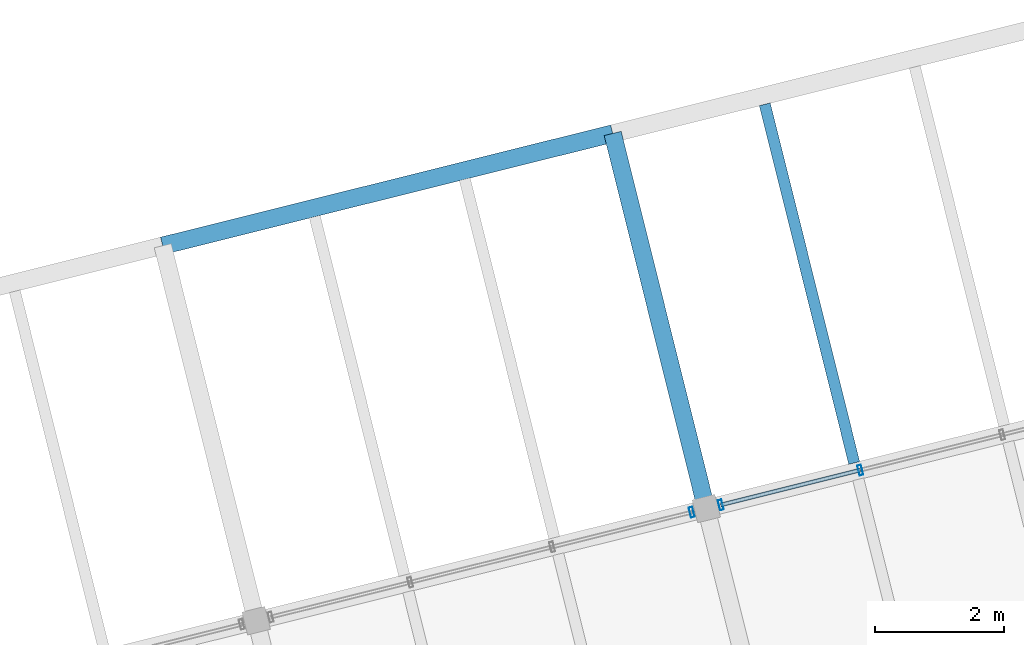
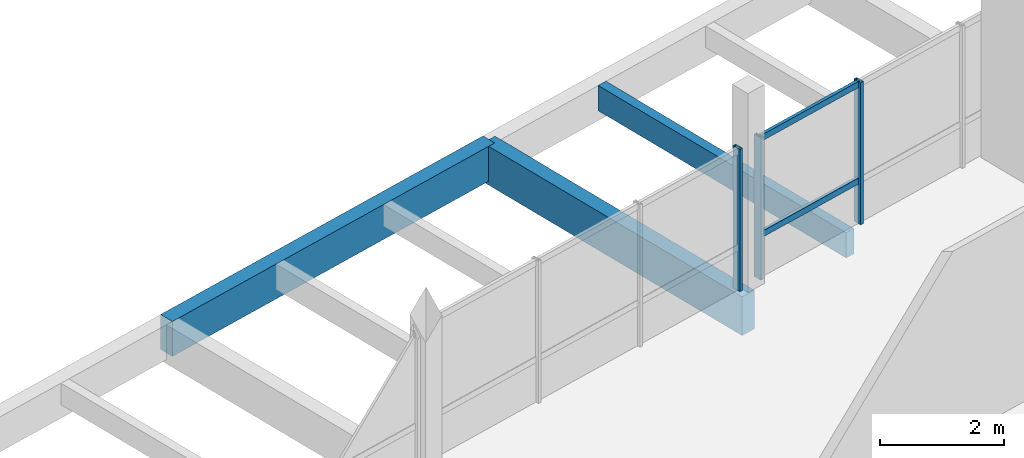
# One storey, part 20 of 28: 5 members, 3 beams, 2 elements without a shape of their own.
"""IFC4 building model written with IfcOpenShell, lengths in metres."""

from ifc_helpers import new_model, si_unit, direction, frame, origin, origin_2d, place, context, subcontext, project, spatial, rectangle, hollow_rectangle, extrude, material, layer, layer_set, material_profile, profile_set, type_object, element, aggregate, save


model = new_model("IFC4")

# Units and contexts
model_context = context("Model", 3, precision=1e-05, world=origin(), true_north=direction((0.0, 1.0)))
body_context = subcontext(model_context, "Body", "Model", "MODEL_VIEW")
ifc_project = project(units=[si_unit("LENGTHUNIT", "METRE"), si_unit("AREAUNIT", "SQUARE_METRE"), si_unit("VOLUMEUNIT", "CUBIC_METRE"), si_unit("PLANEANGLEUNIT", "RADIAN"), si_unit("MASSUNIT", "GRAM", prefix="KILO")], contexts=[model_context])

# Site, building, storey
site_placement = place(None, origin())
site = spatial("IfcSite", under=ifc_project, at=site_placement, CompositionType="ELEMENT")
building_placement = place(site_placement, origin())
building = spatial("IfcBuilding", under=site, at=building_placement, Name="Meriwether Solvik Hall", CompositionType="ELEMENT")
storey_placement = place(building_placement, frame((0.0, 0.0, 45.60009765625)))
storey = spatial("IfcBuildingStorey", under=building, at=storey_placement, Name="L11", CompositionType="ELEMENT", Elevation=45.60009765625)

# Beams
ifc_material_1 = material(Name="Glulam Douglas-Fir 24F-V8 GL28h", Category="wood")
ifc_material_profile_1 = material_profile(ifc_material_1, rectangle(XDim=0.27294921875, YDim=0.68505859375, at=origin_2d()), Name="GLB-273X685")
ifc_profile_set_1 = profile_set([ifc_material_profile_1], Name="Glulam Douglas-Fir 24F-V8 GL28h")
beam_type_1 = type_object("IfcBeamType", Name="BM-GL-273X685", PredefinedType="BEAM", material=ifc_profile_set_1)
beam_1_placement = place(storey_placement, frame((74.735107421875, 77.7705078125, -0.54248046875), z_axis=(0.970291911955, 0.241937193493, 0.0), x_axis=(-0.241937193493, 0.970291911955, 0.0)))
element("IfcBeam", 1, at=beam_1_placement, inside=storey, type_object=beam_type_1, Name="Tower Girder TF:T3-T4 (L11)", PredefinedType="BEAM", context=body_context, shape_type="SweptSolid", body=[
    extrude(rectangle(XDim=0.27294921875, YDim=0.68505859375, at=origin_2d()), origin(), (0.0, 0.0, 1.0), 7.199951171875),
])
ifc_material_2 = material(Name="Glulam Douglas-Fir 24F-V8 GL28h", Category="wood")
ifc_material_profile_2 = material_profile(ifc_material_2, rectangle(XDim=0.27294921875, YDim=0.760009765625, at=origin_2d()), Name="GLB-273X760")
ifc_profile_set_2 = profile_set([ifc_material_profile_2], Name="Glulam Douglas-Fir 24F-V8 GL28h")
beam_type_2 = type_object("IfcBeamType", Name="BM-GL-273X760", PredefinedType="BEAM", material=ifc_profile_set_2)
beam_2_placement = place(storey_placement, frame((83.172607421875, 73.690673828125, -0.580078125), z_axis=(-0.241903677572, 0.970300268359, 0.0), x_axis=(-0.970300268359, -0.241903677572, 0.0)))
element("IfcBeam", 2, at=beam_2_placement, inside=storey, type_object=beam_type_2, Name="Tower Girder T4:TE-TF (L11)", PredefinedType="BEAM", context=body_context, shape_type="SweptSolid", body=[
    extrude(rectangle(XDim=0.27294921875, YDim=0.760009765625, at=origin_2d()), origin(), (0.0, 0.0, 1.0), 6.0),
])

# Curtain wall, member
ifc_material_3 = material(Name="Thermally Broken Anodised Aluminium 6063-T6 and Low-E Glass", Category="aluminium")
ifc_layer_1 = layer(ifc_material_3, 0.179931640625)
ifc_layer_set_1 = layer_set([ifc_layer_1], Name="Thermally Broken Anodised Aluminium 6063-T6 and Low-E Glass")
curtain_wall_type_1 = type_object("IfcCurtainWallType", Name="CW-UNIT-F", PredefinedType="USERDEFINED", material=ifc_layer_set_1)
curtain_wall_1_placement = place(storey_placement, origin())
curtain_wall_1 = element("IfcCurtainWall", 3, at=curtain_wall_1_placement, inside=storey, type_object=curtain_wall_type_1, Name="Curtain Wall E2_B2 (L11)", ObjectType="UNITISED CURTAIN WALL", PredefinedType="USERDEFINED")
ifc_material_4 = material(Name="Anodised Aluminium 6063-T6", Category="aluminium")
ifc_material_profile_3 = material_profile(ifc_material_4, hollow_rectangle(XDim=0.06005859375, YDim=0.159912109375, WallThickness=0.00390625, at=origin_2d()), Name="CWM-60X160")
ifc_profile_set_3 = profile_set([ifc_material_profile_3], Name="Anodised Aluminium 6063-T6")
member_type_1 = type_object("IfcMemberType", Name="CW-MUL-60X160", PredefinedType="MULLION", material=ifc_profile_set_3)
member_1_placement = place(storey_placement, frame((82.947021484375, 73.63427734375, 0.0), z_axis=(0.0, 0.0, 1.0), x_axis=(0.970295725693, 0.241921897937, 0.0)))
member_1 = element("IfcMember", 4, at=member_1_placement, type_object=member_type_1, Name="Curtain Wall Mullion 4", PredefinedType="MULLION", context=body_context, shape_type="SweptSolid", body=[
    extrude(hollow_rectangle(XDim=0.06005859375, YDim=0.159912109375, WallThickness=0.00390625, at=origin_2d()), origin(), (0.0, 0.0, 1.0), 2.789794921875),
])
aggregate(curtain_wall_1, [member_1])

# Curtain wall, members
ifc_material_5 = material(Name="Thermally Broken Anodised Aluminium 6063-T6 and Low-E Glass", Category="aluminium")
ifc_layer_2 = layer(ifc_material_5, 0.179931640625)
ifc_layer_set_2 = layer_set([ifc_layer_2], Name="Thermally Broken Anodised Aluminium 6063-T6 and Low-E Glass")
curtain_wall_type_2 = type_object("IfcCurtainWallType", Name="CW-UNIT-G", PredefinedType="USERDEFINED", material=ifc_layer_set_2)
curtain_wall_2_placement = place(storey_placement, origin())
curtain_wall_2 = element("IfcCurtainWall", 5, at=curtain_wall_2_placement, inside=storey, type_object=curtain_wall_type_2, Name="Curtain Wall E2_B3 (L11)", ObjectType="UNITISED CURTAIN WALL", PredefinedType="USERDEFINED")
member_2_placement = place(storey_placement, frame((83.398193359375, 73.746826171875, 0.0), z_axis=(0.0, 0.0, 1.0), x_axis=(0.97029573429, 0.241921863457, 0.0)))
member_2 = element("IfcMember", 6, at=member_2_placement, type_object=member_type_1, Name="Curtain Wall Mullion 1", PredefinedType="MULLION", context=body_context, shape_type="SweptSolid", body=[
    extrude(hollow_rectangle(XDim=0.06005859375, YDim=0.159912109375, WallThickness=0.00390625, at=origin_2d()), origin(), (0.0, 0.0, 1.0), 2.789794921875),
])
member_3_placement = place(storey_placement, frame((85.564208984375, 74.286865234375, 0.0), z_axis=(0.0, 0.0, 1.0), x_axis=(0.97029573429, 0.241921863457, 0.0)))
member_3 = element("IfcMember", 7, at=member_3_placement, type_object=member_type_1, Name="Curtain Wall Mullion 2", PredefinedType="MULLION", context=body_context, shape_type="SweptSolid", body=[
    extrude(hollow_rectangle(XDim=0.06005859375, YDim=0.159912109375, WallThickness=0.00390625, at=origin_2d()), origin(), (0.0, 0.0, 1.0), 2.789794921875),
])
ifc_material_6 = material(Name="Anodised Aluminium 6063-T6", Category="aluminium")
ifc_material_profile_4 = material_profile(ifc_material_6, hollow_rectangle(XDim=0.06005859375, YDim=0.1201171875, WallThickness=0.00390625, at=origin_2d()), Name="CWT-60X120")
ifc_profile_set_4 = profile_set([ifc_material_profile_4], Name="Anodised Aluminium 6063-T6")
member_type_2 = type_object("IfcMemberType", Name="CW-TRN-60X120", PredefinedType="USERDEFINED", material=ifc_profile_set_4)
member_4_placement = place(storey_placement, frame((83.398193359375, 73.746826171875, 0.8369140625), z_axis=(0.970296702868, 0.241917978668, 0.0), x_axis=(-0.241917978668, 0.970296702868, 0.0)))
member_4 = element("IfcMember", 8, at=member_4_placement, type_object=member_type_2, Name="Curtain Wall Transom 1-sill", ObjectType="TRANSOM", PredefinedType="USERDEFINED", context=body_context, shape_type="SweptSolid", body=[
    extrude(hollow_rectangle(XDim=0.06005859375, YDim=0.1201171875, WallThickness=0.00390625, at=origin_2d()), origin(), (0.0, 0.0, 1.0), 2.232421875),
])
member_5_placement = place(storey_placement, frame((83.398193359375, 73.746826171875, 2.72998046875), z_axis=(0.970296702868, 0.241917978668, 0.0), x_axis=(-0.241917978668, 0.970296702868, 0.0)))
member_5 = element("IfcMember", 9, at=member_5_placement, type_object=member_type_2, Name="Curtain Wall Transom 1-head", ObjectType="TRANSOM", PredefinedType="USERDEFINED", context=body_context, shape_type="SweptSolid", body=[
    extrude(hollow_rectangle(XDim=0.06005859375, YDim=0.1201171875, WallThickness=0.00390625, at=origin_2d()), origin(), (0.0, 0.0, 1.0), 2.232421875),
])
aggregate(curtain_wall_2, [member_2, member_3, member_4, member_5])

# Beam
ifc_material_7 = material(Name="Glulam Douglas-Fir 24F-V8 GL28h", Category="wood")
ifc_material_profile_5 = material_profile(ifc_material_7, rectangle(XDim=0.175048828125, YDim=0.4951171875, at=origin_2d()), Name="GLJ-175X495")
ifc_profile_set_5 = profile_set([ifc_material_profile_5], Name="Glulam Douglas-Fir 24F-V8 GL28h")
beam_type_3 = type_object("IfcBeamType", Name="JST-GL-175X495", PredefinedType="JOIST", material=ifc_profile_set_5)
beam_3_placement = place(storey_placement, frame((85.469482421875, 74.398681640625, -0.447509765625), z_axis=(-0.24188472362, 0.970304993535, 0.0), x_axis=(-0.970304993535, -0.24188472362, 0.0)))
element("IfcBeam", 10, at=beam_3_placement, inside=storey, type_object=beam_type_3, Name="Glulam Floor Joist T4/TE-J1 (L11)", PredefinedType="JOIST", context=body_context, shape_type="SweptSolid", body=[
    extrude(rectangle(XDim=0.175048828125, YDim=0.4951171875, at=origin_2d()), origin(), (0.0, 0.0, 1.0), 5.737060546875),
])

save(model, "model.ifc")
